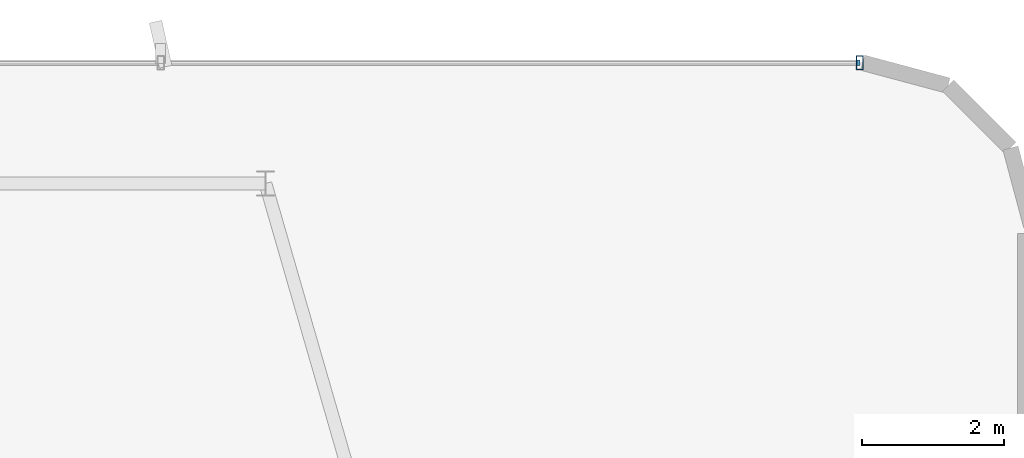
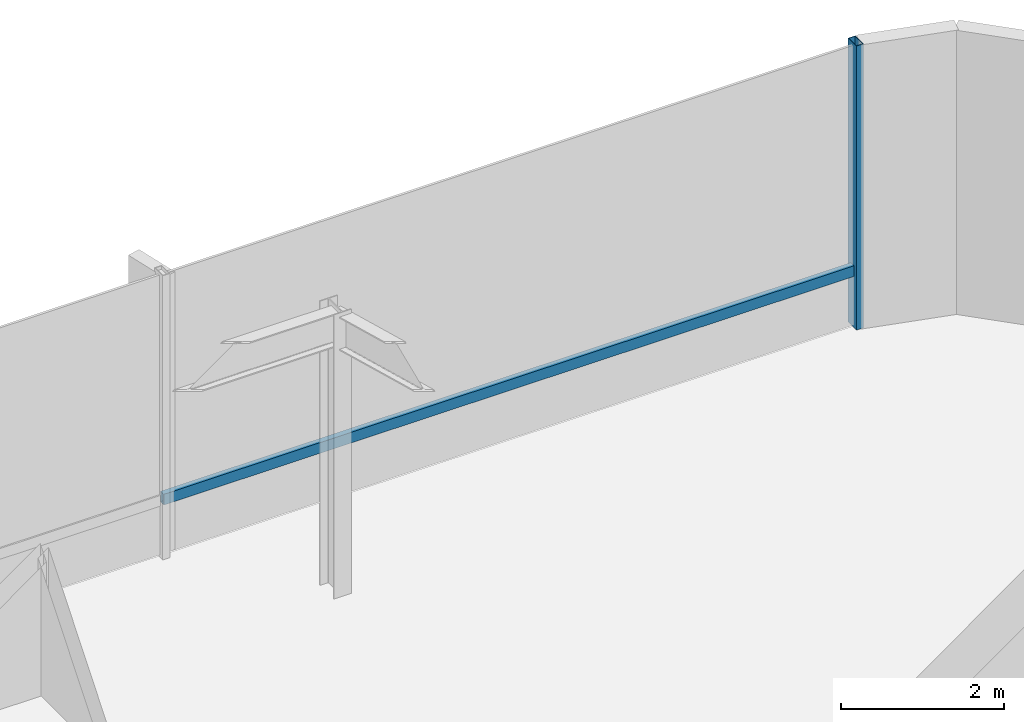
# One storey, part 18 of 26: 2 members, 1 element without a shape of its own.
"""IFC4 building model written with IfcOpenShell, lengths in metres."""

from ifc_helpers import new_model, si_unit, direction, frame, origin, origin_2d, place, context, subcontext, project, spatial, hollow_rectangle, extrude, source, transform, mapped, material, material_profile, profile_set, type_object, element, aggregate, save


model = new_model("IFC4")

# Units and contexts
model_context = context("Model", 3, precision=1e-05, world=origin(), true_north=direction((0.0, 1.0)))
body_context = subcontext(model_context, "Body", "Model", "MODEL_VIEW")
ifc_project = project(units=[si_unit("LENGTHUNIT", "METRE"), si_unit("AREAUNIT", "SQUARE_METRE"), si_unit("VOLUMEUNIT", "CUBIC_METRE"), si_unit("PLANEANGLEUNIT", "RADIAN"), si_unit("MASSUNIT", "GRAM", prefix="KILO")], contexts=[model_context])

# Site, building, storey
site_placement = place(None, origin())
site = spatial("IfcSite", under=ifc_project, at=site_placement, CompositionType="ELEMENT")
building_placement = place(site_placement, origin())
building = spatial("IfcBuilding", under=site, at=building_placement, Name="Sahyath Konkavel Grand Hotel", CompositionType="ELEMENT")
storey_placement = place(building_placement, frame((0.0, 0.0, 18.60009765625)))
storey = spatial("IfcBuildingStorey", under=building, at=storey_placement, Name="L04", CompositionType="ELEMENT", Elevation=18.60009765625)

# Curtain wall, members
ifc_material_1 = material(Name="Anodised Bronze Aluminium & Low-E Glazing", Category="aluminium")
curtain_wall_type = type_object("IfcCurtainWallType", Name="CW-PODIUM", PredefinedType="NOTDEFINED", material=ifc_material_1)
curtain_wall_placement = place(storey_placement, origin())
curtain_wall = element("IfcCurtainWall", 1, at=curtain_wall_placement, inside=storey, type_object=curtain_wall_type, Name="L04 Unitised Curtain Wall N1", PredefinedType="NOTDEFINED")
ifc_material_2 = material(Name="Anodised Bronze Aluminium", Category="aluminium")
ifc_material_profile_1 = material_profile(ifc_material_2, hollow_rectangle(XDim=0.10009765625, YDim=0.199951171875, WallThickness=0.008056640625, at=origin_2d()), Name="RHS 200x100x8")
ifc_profile_set_1 = profile_set([ifc_material_profile_1], Name="Anodised Bronze Aluminium")
member_type_1 = type_object("IfcMemberType", Name="CW-MUL-200", PredefinedType="MULLION", material=ifc_profile_set_1)
shared_shape_1 = source(origin(), body_context, "Body", "SweptSolid", [
    extrude(hollow_rectangle(XDim=0.10009765625, YDim=0.199951171875, WallThickness=0.008056640625, at=origin_2d()), origin(), (0.0, 0.0, 1.0), 4.260009765625),
])
member_1_placement = place(storey_placement, frame((26.360107421875, 22.199951171875, 0.0), z_axis=(0.0, 0.0, 1.0), x_axis=(1.0, 0.0, 0.0)))
member_1 = element("IfcMember", 2, at=member_1_placement, type_object=member_type_1, Name="L04 Curtain Wall Mullion N1-0", PredefinedType="MULLION", context=body_context, shape_type="MappedRepresentation", body=[
    mapped(shared_shape_1, transform((0.0, 0.0, 0.0), scale=1.0)),
])
ifc_material_profile_2 = material_profile(ifc_material_2, hollow_rectangle(XDim=0.080078125, YDim=0.159912109375, WallThickness=0.006103515625, at=origin_2d()), Name="RHS 160x80x6")
ifc_profile_set_2 = profile_set([ifc_material_profile_2], Name="Anodised Bronze Aluminium")
member_type_2 = type_object("IfcMemberType", Name="CW-TRN-160", PredefinedType="USERDEFINED", material=ifc_profile_set_2)
shared_shape_2 = source(origin(), body_context, "Body", "SweptSolid", [
    extrude(hollow_rectangle(XDim=0.080078125, YDim=0.159912109375, WallThickness=0.006103515625, at=origin_2d()), origin(), (0.0, 0.0, 1.0), 9.835205078125),
])
member_2_placement = place(storey_placement, frame((26.360107421875, 22.199951171875, 0.849853515625), z_axis=(-1.0, 0.0, 0.0), x_axis=(0.0, -1.0, 0.0)))
member_2 = element("IfcMember", 3, at=member_2_placement, type_object=member_type_2, Name="L04 Curtain Wall Transom N1-0-spandrel", ObjectType="TRANSOM", PredefinedType="USERDEFINED", context=body_context, shape_type="MappedRepresentation", body=[
    mapped(shared_shape_2, transform((0.0, 0.0, 0.0), scale=1.0)),
])
aggregate(curtain_wall, [member_1, member_2])

save(model, "model.ifc")
